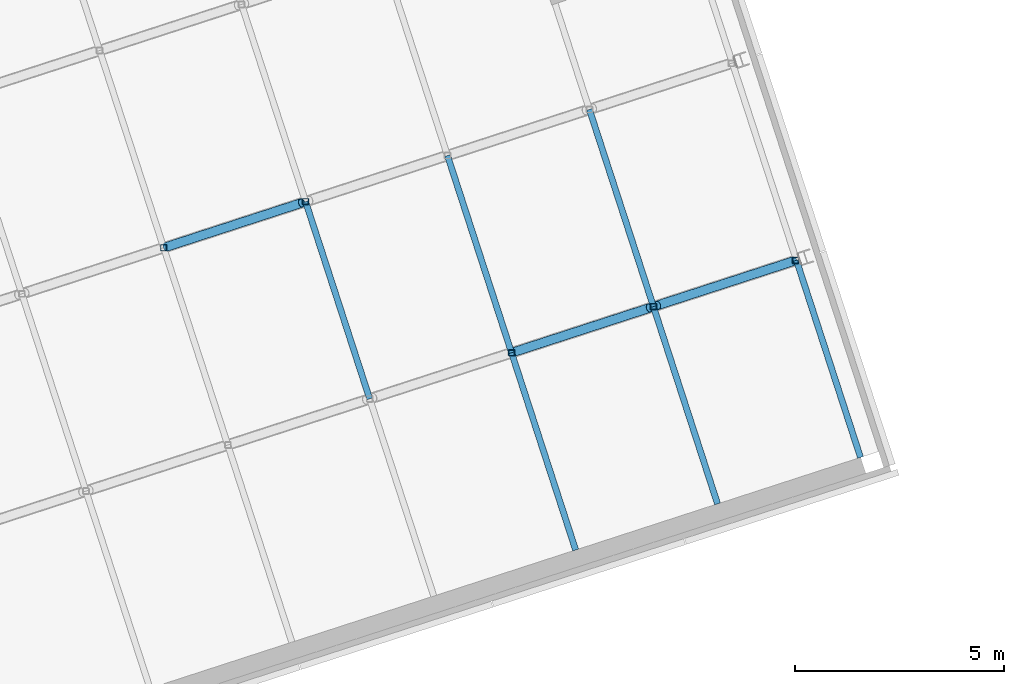
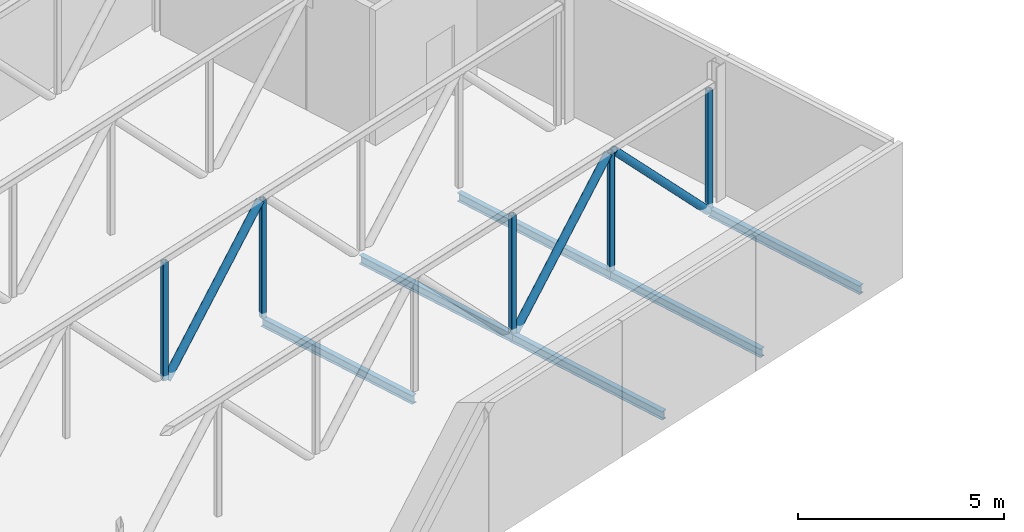
# One storey, part 7 of 52: 8 members, 6 beams.
"""IFC4 building model written with IfcOpenShell, lengths in metres."""

from ifc_helpers import new_model, si_unit, direction, frame, origin, origin_2d, place, context, subcontext, project, spatial, hollow_rectangle, hollow_circle, i_section, extrude, material, material_profile, profile_set, type_object, element, save


model = new_model("IFC4")

# Units and contexts
model_context = context("Model", 3, precision=1e-05, world=origin(), true_north=direction((0.0, 1.0)))
body_context = subcontext(model_context, "Body", "Model", "MODEL_VIEW")
ifc_project = project(units=[si_unit("LENGTHUNIT", "METRE"), si_unit("AREAUNIT", "SQUARE_METRE"), si_unit("VOLUMEUNIT", "CUBIC_METRE"), si_unit("PLANEANGLEUNIT", "RADIAN"), si_unit("MASSUNIT", "GRAM", prefix="KILO")], contexts=[model_context])

# Site, building, storey
site_placement = place(None, origin())
site = spatial("IfcSite", under=ifc_project, at=site_placement, CompositionType="ELEMENT")
building_placement = place(site_placement, origin())
building = spatial("IfcBuilding", under=site, at=building_placement, Name="Tuart Plaza Theatre", CompositionType="ELEMENT")
storey_placement = place(building_placement, frame((0.0, 0.0, 25.5)))
storey = spatial("IfcBuildingStorey", under=building, at=storey_placement, Name="L06", CompositionType="ELEMENT", Elevation=25.5)

# Beams
ifc_material_1 = material(Name="Steel Grade 300", Category="steel")
ifc_material_profile_1 = material_profile(ifc_material_1, i_section(OverallWidth=0.14599609375, OverallDepth=0.256103515625, WebThickness=0.00634765625, FlangeThickness=0.010986328125, FilletRadius=0.0087890625, at=origin_2d()), Name="250UB37.3")
ifc_profile_set_1 = profile_set([ifc_material_profile_1], Name="Steel Grade 300")
beam_type = type_object("IfcBeamType", Name="BEAM 250UB37.3", PredefinedType="BEAM", material=ifc_profile_set_1)
beam_1_placement = place(storey_placement, frame((56.933349609375, 79.108642578125, -0.278076171875), z_axis=(-0.309042578481, 0.951048203135, 0.0), x_axis=(-0.951048203135, -0.309042578481, 0.0)))
element("IfcBeam", 1, at=beam_1_placement, inside=storey, type_object=beam_type, Name="SB76", PredefinedType="BEAM", context=body_context, shape_type="SweptSolid", body=[
    extrude(i_section(OverallWidth=0.14599609375, OverallDepth=0.256103515625, WebThickness=0.00634765625, FlangeThickness=0.010986328125, FilletRadius=0.0087890625, at=origin_2d()), origin(), (0.0, 0.0, 1.0), 4.9501953125),
])
for number, where, z_axis, x_axis, name in (
    (2, (61.849609375, 75.50146484375, -0.278076171875), (-0.308997967382, 0.951062698329, 0.0), (-0.951062698329, -0.308997967382, 0.0), "SB79"),
    (3, (60.320068359375, 80.209228515625, -0.278076171875), (-0.308997967382, 0.951062698329, 0.0), (-0.951062698329, -0.308997967382, 0.0), "SB80"),
):
    element("IfcBeam", number, at=place(storey_placement, frame(where, z_axis=z_axis, x_axis=x_axis)), inside=storey, type_object=beam_type, Name=name, PredefinedType="BEAM", context=body_context, shape_type="SweptSolid", body=[
        extrude(i_section(OverallWidth=0.14599609375, OverallDepth=0.256103515625, WebThickness=0.00634765625, FlangeThickness=0.010986328125, FilletRadius=0.0087890625, at=origin_2d()), origin(), (0.0, 0.0, 1.0), 4.949951171875),
    ])
beam_2_placement = place(storey_placement, frame((65.236572265625, 76.601806640625, -0.278076171875), z_axis=(-0.309042578481, 0.951048203135, 0.0), x_axis=(-0.951048203135, -0.309042578481, 0.0)))
element("IfcBeam", 4, at=beam_2_placement, inside=storey, type_object=beam_type, Name="SB83", PredefinedType="BEAM", context=body_context, shape_type="SweptSolid", body=[
    extrude(i_section(OverallWidth=0.14599609375, OverallDepth=0.256103515625, WebThickness=0.00634765625, FlangeThickness=0.010986328125, FilletRadius=0.0087890625, at=origin_2d()), origin(), (0.0, 0.0, 1.0), 4.9501953125),
])
for number, where, z_axis, x_axis, name in (
    (5, (63.706787109375, 81.3095703125, -0.278076171875), (-0.308997967382, 0.951062698329, 0.0), (-0.951062698329, -0.308997967382, 0.0), "SB84"),
    (6, (68.64892578125, 77.710693359375, -0.278076171875), (-0.308997967382, 0.951062698329, 0.0), (-0.951062698329, -0.308997967382, 0.0), "SB87"),
):
    element("IfcBeam", number, at=place(storey_placement, frame(where, z_axis=z_axis, x_axis=x_axis)), inside=storey, type_object=beam_type, Name=name, PredefinedType="BEAM", context=body_context, shape_type="SweptSolid", body=[
        extrude(i_section(OverallWidth=0.14599609375, OverallDepth=0.256103515625, WebThickness=0.00634765625, FlangeThickness=0.010986328125, FilletRadius=0.0087890625, at=origin_2d()), origin(), (0.0, 0.0, 1.0), 4.949951171875),
    ])

# Members
ifc_material_2 = material(Name="Steel Grade C350L0", Category="steel")
ifc_material_profile_2 = material_profile(ifc_material_2, hollow_circle(Radius=0.109619140625, WallThickness=0.00830078125, at=origin_2d()), Name="219.1x8.2 CHS")
ifc_profile_set_2 = profile_set([ifc_material_profile_2], Name="Steel Grade C350L0")
member_type_1 = type_object("IfcMemberType", Name="MEMBER Brace 219.1x8.2 CHS", PredefinedType="BRACE", material=ifc_profile_set_2)
member_1_placement = place(storey_placement, frame((60.389404296875, 80.231689453125, -0.199951171875), z_axis=(0.657387259608, 0.213591169246, 0.722648464556), x_axis=(-0.309007965901, 0.951059449777, 0.0)))
element("IfcMember", 7, at=member_1_placement, inside=storey, type_object=member_type_1, Name="BR37", PredefinedType="BRACE", context=body_context, shape_type="SweptSolid", body=[
    extrude(hollow_circle(Radius=0.109619140625, WallThickness=0.00830078125, at=origin_2d()), origin(), (0.0, 0.0, 1.0), 4.908203125),
])
member_2_placement = place(storey_placement, frame((63.7978515625, 81.339111328125, 3.346923828125), z_axis=(0.657515227727, 0.213627047939, -0.722521425078), x_axis=(-0.309000509275, 0.951061872471, 0.0)))
element("IfcMember", 8, at=member_2_placement, inside=storey, type_object=member_type_1, Name="BR38", PredefinedType="BRACE", context=body_context, shape_type="SweptSolid", body=[
    extrude(hollow_circle(Radius=0.109619140625, WallThickness=0.00830078125, at=origin_2d()), origin(), (0.0, 0.0, 1.0), 4.9462890625),
])
member_3_placement = place(storey_placement, frame((52.086181640625, 82.738525390625, -0.199951171875), z_axis=(0.657359012755, 0.213598153672, 0.722672095142), x_axis=(-0.309029116035, 0.951052577644, 0.0)))
element("IfcMember", 9, at=member_3_placement, inside=storey, type_object=member_type_1, Name="BR43", PredefinedType="BRACE", context=body_context, shape_type="SweptSolid", body=[
    extrude(hollow_circle(Radius=0.109619140625, WallThickness=0.00830078125, at=origin_2d()), origin(), (0.0, 0.0, 1.0), 4.907958984375),
])
ifc_material_3 = material(Name="Steel Grade C350L0", Category="steel")
ifc_material_profile_3 = material_profile(ifc_material_3, hollow_rectangle(XDim=0.14990234375, YDim=0.14990234375, WallThickness=0.009033203125, InnerFilletRadius=0.009033203125, OuterFilletRadius=0.01806640625, at=origin_2d()), Name="150x150x9 SHS")
ifc_profile_set_3 = profile_set([ifc_material_profile_3], Name="Steel Grade C350L0")
member_type_2 = type_object("IfcMemberType", Name="MEMBER Post 150x150x9 SHS", PredefinedType="POST", material=ifc_profile_set_3)
for number, where, z_axis, x_axis, name in (
    (10, (60.320068359375, 80.209228515625, -0.14990234375), (0.0, 0.0, 1.0), (1.0, 0.0, 0.0), "PO42"),
    (11, (63.706787109375, 81.3095703125, -0.14990234375), (0.0, 0.0, 1.0), (1.0, 0.0, 0.0), "PO43"),
    (12, (67.09375, 82.41015625, -0.14990234375), (0.0, 0.0, 1.0), (1.0, 0.0, 0.0), "PO44"),
    (13, (52.016845703125, 82.716064453125, -0.14990234375), (0.0, 0.0, 1.0), (1.0, 0.0, 0.0), "PO49"),
    (14, (55.403564453125, 83.81640625, -0.14990234375), (0.0, 0.0, 1.0), (1.0, 0.0, 0.0), "PO50"),
):
    element("IfcMember", number, at=place(storey_placement, frame(where, z_axis=z_axis, x_axis=x_axis)), inside=storey, type_object=member_type_2, Name=name, PredefinedType="POST", context=body_context, shape_type="SweptSolid", body=[
        extrude(hollow_rectangle(XDim=0.14990234375, YDim=0.14990234375, WallThickness=0.009033203125, InnerFilletRadius=0.009033203125, OuterFilletRadius=0.01806640625, at=origin_2d()), origin(), (0.0, 0.0, 1.0), 3.496826171875),
    ])

save(model, "model.ifc")
